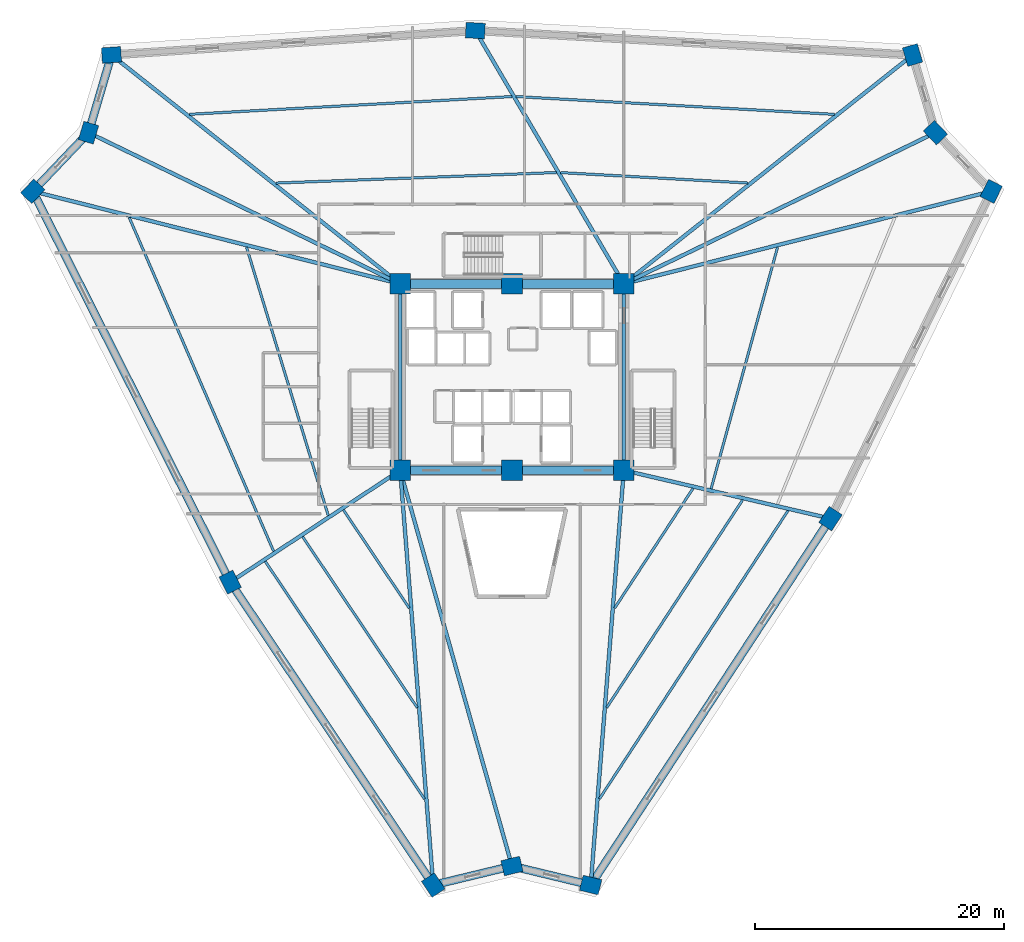
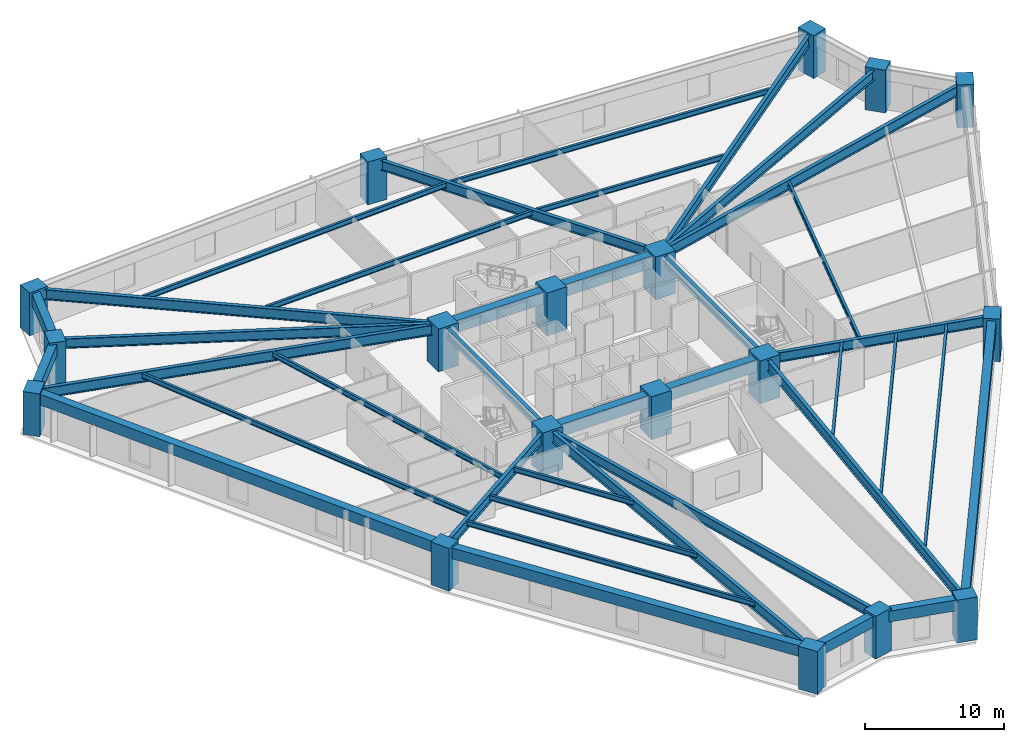
# One storey, part 1 of 9: 38 beams, 18 columns.
"""IFC4 building model written with IfcOpenShell, lengths in metres."""

from ifc_helpers import new_model, si_unit, direction, frame, origin, origin_2d, place, context, subcontext, project, spatial, rectangle, i_section, extrude, source, transform, mapped, material, material_profile, profile_set, type_object, element, save


model = new_model("IFC4")

# Units and contexts
model_context = context("Model", 3, precision=1e-05, world=origin(), true_north=direction((0.0, 1.0)))
body_context = subcontext(model_context, "Body", "Model", "MODEL_VIEW")
ifc_project = project(units=[si_unit("LENGTHUNIT", "METRE"), si_unit("AREAUNIT", "SQUARE_METRE"), si_unit("VOLUMEUNIT", "CUBIC_METRE"), si_unit("PLANEANGLEUNIT", "RADIAN"), si_unit("MASSUNIT", "GRAM", prefix="KILO")], contexts=[model_context])

# Site, building, storey
site_placement = place(None, origin())
site = spatial("IfcSite", under=ifc_project, at=site_placement, CompositionType="ELEMENT")
building_placement = place(site_placement, origin())
building = spatial("IfcBuilding", under=site, at=building_placement, Name="Liaohun Quay Tower", CompositionType="ELEMENT")
storey_placement = place(building_placement, frame((0.0, 0.0, 55.5)))
storey = spatial("IfcBuildingStorey", under=building, at=storey_placement, Name="L14", CompositionType="ELEMENT", Elevation=55.5)

# Columns
ifc_material_1 = material(Name="Concrete C60", Category="concrete")
ifc_material_profile_1 = material_profile(ifc_material_1, rectangle(XDim=1.64990234375, YDim=1.64990234375, at=origin_2d()), Name="RC1650x1650")
ifc_profile_set_1 = profile_set([ifc_material_profile_1], Name="Concrete C60")
column_type_1 = type_object("IfcColumnType", Name="COL-CC-Z1", PredefinedType="COLUMN", material=ifc_profile_set_1)
shared_shape_1 = source(origin(), body_context, "Body", "SweptSolid", [
    extrude(rectangle(XDim=1.64990234375, YDim=1.64990234375, at=origin_2d()), origin(), (0.0, 0.0, 1.0), 3.75),
])
for number, where, z_axis, x_axis, name in (
    (1, (51.0, 46.5, 0.0), (0.0, 0.0, 1.0), (1.0, 0.0, 0.0), "L14 Core Column CC1"),
    (2, (60.0, 46.5, 0.0), (0.0, 0.0, 1.0), (1.0, 0.0, 0.0), "L14 Core Column CC2"),
    (3, (69.0, 46.5, 0.0), (0.0, 0.0, 1.0), (1.0, 0.0, 0.0), "L14 Core Column CC3"),
    (4, (69.0, 61.5, 0.0), (0.0, 0.0, 1.0), (1.0, 0.0, 0.0), "L14 Core Column CC4"),
    (5, (60.0, 61.5, 0.0), (0.0, 0.0, 1.0), (1.0, 0.0, 0.0), "L14 Core Column CC5"),
    (6, (51.0, 61.5, 0.0), (0.0, 0.0, 1.0), (1.0, 0.0, 0.0), "L14 Core Column CC6"),
):
    element("IfcColumn", number, at=place(storey_placement, frame(where, z_axis=z_axis, x_axis=x_axis)), inside=storey, type_object=column_type_1, Name=name, PredefinedType="COLUMN", context=body_context, shape_type="MappedRepresentation", body=[
        mapped(shared_shape_1, transform((0.0, 0.0, 0.0), x_axis=(1.0, 0.0, 0.0), y_axis=(0.0, 1.0, 0.0), z_axis=(0.0, 0.0, 1.0), scale=1.0)),
    ])
ifc_material_profile_2 = material_profile(ifc_material_1, rectangle(XDim=1.550048828125, YDim=1.25, at=origin_2d()), Name="RC1550x1250")
ifc_profile_set_2 = profile_set([ifc_material_profile_2], Name="Concrete C60")
column_type_2 = type_object("IfcColumnType", Name="COL-PIER-Z1", PredefinedType="COLUMN", material=ifc_profile_set_2)
shared_shape_2 = source(origin(), body_context, "Body", "SweptSolid", [
    extrude(rectangle(XDim=1.550048828125, YDim=1.25, at=origin_2d()), origin(), (0.0, 0.0, 1.0), 3.75),
])
for number, where, z_axis, x_axis, name in (
    (7, (53.660888671875, 13.12109375, 0.0), (0.0, 0.0, 1.0), (-0.556730641675, 0.830693079675, 0.0), "L14 Perimeter Pier PC01"),
    (8, (37.323974609375, 37.4970703125, 0.0), (0.0, 0.0, 1.0), (-0.450877540689, 0.892585818452, 0.0), "L14 Perimeter Pier PC02"),
    (9, (21.43310546875, 68.955078125, 0.0), (0.0, 0.0, 1.0), (0.68936671806, 0.724412539946, 0.0), "L14 Perimeter Pier PC03"),
    (10, (25.923095703125, 73.674072265625, 0.0), (0.0, 0.0, 1.0), (0.282676303383, 0.959215360337, 0.0), "L14 Perimeter Pier PC04"),
    (11, (27.76708984375, 79.928955078125, 0.0), (0.0, 0.0, 1.0), (0.997766630584, 0.066796338919, 0.0), "L14 Perimeter Pier PC05"),
    (12, (57.0458984375, 81.888916015625, 0.0), (0.0, 0.0, 1.0), (-0.998440764182, 0.055821504993, 0.0), "L14 Perimeter Pier PC06"),
    (13, (92.235107421875, 79.923095703125, 0.0), (0.0, 0.0, 1.0), (-0.282676303383, 0.959215360337, 0.0), "L14 Perimeter Pier PC07"),
    (14, (94.076904296875, 73.674072265625, 0.0), (0.0, 0.0, 1.0), (-0.68936671806, 0.724412539946, 0.0), "L14 Perimeter Pier PC08"),
    (15, (98.572021484375, 68.949951171875, 0.0), (0.0, 0.0, 1.0), (0.441035988909, 0.897489418593, 0.0), "L14 Perimeter Pier PC09"),
    (16, (85.6298828125, 42.614013671875, 0.0), (0.0, 0.0, 1.0), (0.547563223493, 0.836764313459, 0.0), "L14 Perimeter Pier PC10"),
    (17, (66.33203125, 13.123046875, 0.0), (0.0, 0.0, 1.0), (-0.972043021443, 0.234802820391, 0.0), "L14 Perimeter Pier PC11"),
    (18, (60.0, 14.652099609375, 0.0), (0.0, 0.0, 1.0), (0.972043021443, 0.234802820391, 0.0), "L14 Perimeter Pier PC12"),
):
    element("IfcColumn", number, at=place(storey_placement, frame(where, z_axis=z_axis, x_axis=x_axis)), inside=storey, type_object=column_type_2, Name=name, PredefinedType="COLUMN", context=body_context, shape_type="MappedRepresentation", body=[
        mapped(shared_shape_2, transform((0.0, 0.0, 0.0), x_axis=(1.0, 0.0, 0.0), y_axis=(0.0, 1.0, 0.0), z_axis=(0.0, 0.0, 1.0), scale=1.0)),
    ])

# Beams
ifc_material_profile_3 = material_profile(ifc_material_1, rectangle(XDim=0.699951171875, YDim=1.050048828125, at=origin_2d()), Name="RC700x1050")
ifc_profile_set_3 = profile_set([ifc_material_profile_3], Name="Concrete C60")
beam_type_1 = type_object("IfcBeamType", Name="BM-CPL-1", PredefinedType="LINTEL", material=ifc_profile_set_3)
shared_shape_3 = source(origin(), body_context, "Body", "SweptSolid", [
    extrude(rectangle(XDim=0.699951171875, YDim=1.050048828125, at=origin_2d()), origin(), (0.0, 0.0, 1.0), 9.0),
])
for number, where, z_axis, x_axis, name in (
    (19, (51.0, 46.5, 3.044921875), (1.0, 0.0, 0.0), (0.0, 1.0, 0.0), "L14 Core Coupling/Ring Beam CC1-CC2"),
    (20, (60.0, 46.5, 3.044921875), (1.0, 0.0, 0.0), (0.0, 1.0, 0.0), "L14 Core Coupling/Ring Beam CC2-CC3"),
    (21, (69.0, 61.5, 3.044921875), (-1.0, 0.0, 0.0), (0.0, -1.0, 0.0), "L14 Core Coupling/Ring Beam CC4-CC5"),
    (22, (60.0, 61.5, 3.044921875), (-1.0, 0.0, 0.0), (0.0, -1.0, 0.0), "L14 Core Coupling/Ring Beam CC5-CC6"),
):
    element("IfcBeam", number, at=place(storey_placement, frame(where, z_axis=z_axis, x_axis=x_axis)), inside=storey, type_object=beam_type_1, Name=name, PredefinedType="LINTEL", context=body_context, shape_type="MappedRepresentation", body=[
        mapped(shared_shape_3, transform((0.0, 0.0, 0.0), x_axis=(1.0, 0.0, 0.0), y_axis=(0.0, 1.0, 0.0), z_axis=(0.0, 0.0, 1.0), scale=1.0)),
    ])
ifc_material_2 = material(Name="Steel Q355D", Category="steel")
ifc_material_profile_4 = material_profile(ifc_material_2, i_section(OverallWidth=0.300048828125, OverallDepth=0.800048828125, WebThickness=0.013916015625, FlangeThickness=0.02587890625, at=origin_2d()), Name="HN800x300x14x26")
ifc_profile_set_4 = profile_set([ifc_material_profile_4], Name="Steel Q355D")
beam_type_2 = type_object("IfcBeamType", Name="BM-RAD-M1", PredefinedType="BEAM", material=ifc_profile_set_4)
shared_shape_4 = source(origin(), body_context, "Body", "SweptSolid", [
    extrude(i_section(OverallWidth=0.300048828125, OverallDepth=0.800048828125, WebThickness=0.013916015625, FlangeThickness=0.02587890625, at=origin_2d()), origin(), (0.0, 0.0, 1.0), 15.0),
])
for number, where, z_axis, x_axis, name in (
    (23, (69.0, 46.5, 3.169921875), (0.0, 1.0, 0.0), (-1.0, 0.0, 0.0), "L14 Core Coupling/Ring Beam CC3-CC4"),
    (24, (51.0, 61.5, 3.169921875), (0.0, -1.0, 0.0), (1.0, 0.0, 0.0), "L14 Core Coupling/Ring Beam CC6-CC1"),
):
    element("IfcBeam", number, at=place(storey_placement, frame(where, z_axis=z_axis, x_axis=x_axis)), inside=storey, type_object=beam_type_2, Name=name, PredefinedType="BEAM", context=body_context, shape_type="MappedRepresentation", body=[
        mapped(shared_shape_4, transform((0.0, 0.0, 0.0), x_axis=(1.0, 0.0, 0.0), y_axis=(0.0, 1.0, 0.0), z_axis=(0.0, 0.0, 1.0), scale=1.0)),
    ])
ifc_material_3 = material(Name="Steel Q420D", Category="steel")
ifc_material_profile_5 = material_profile(ifc_material_3, i_section(OverallWidth=0.300048828125, OverallDepth=0.89990234375, WebThickness=0.01611328125, FlangeThickness=0.028076171875, at=origin_2d()), Name="HN900x300x16x28")
ifc_profile_set_5 = profile_set([ifc_material_profile_5], Name="Steel Q420D")
beam_type_3 = type_object("IfcBeamType", Name="BM-RAD-H1", PredefinedType="BEAM", material=ifc_profile_set_5)
shared_shape_5 = source(origin(), body_context, "Body", "SweptSolid", [
    extrude(i_section(OverallWidth=0.300048828125, OverallDepth=0.89990234375, WebThickness=0.01611328125, FlangeThickness=0.028076171875, at=origin_2d()), origin(), (0.0, 0.0, 1.0), 33.48486328125),
])
beam_1_placement = place(storey_placement, frame((51.0, 46.5, 3.1201171875), z_axis=(0.079465572867, -0.996837611012, 0.0), x_axis=(0.996837611012, 0.079465572867, 0.0)))
element("IfcBeam", 25, at=beam_1_placement, inside=storey, type_object=beam_type_3, Name="L14 Radial Primary Girder CC1-PC01", PredefinedType="BEAM", context=body_context, shape_type="MappedRepresentation", body=[
    mapped(shared_shape_5, transform((0.0, 0.0, 0.0), x_axis=(1.0, 0.0, 0.0), y_axis=(0.0, 1.0, 0.0), z_axis=(0.0, 0.0, 1.0), scale=1.0)),
])
ifc_material_profile_6 = material_profile(ifc_material_2, i_section(OverallWidth=0.300048828125, OverallDepth=0.85009765625, WebThickness=0.01611328125, FlangeThickness=0.028076171875, at=origin_2d()), Name="HN850x300x16x28")
ifc_profile_set_6 = profile_set([ifc_material_profile_6], Name="Steel Q355D")
beam_type_4 = type_object("IfcBeamType", Name="BM-RAD-H2", PredefinedType="BEAM", material=ifc_profile_set_6)
shared_shape_6 = source(origin(), body_context, "Body", "SweptSolid", [
    extrude(i_section(OverallWidth=0.300048828125, OverallDepth=0.85009765625, WebThickness=0.01611328125, FlangeThickness=0.028076171875, at=origin_2d()), origin(), (0.0, 0.0, 1.0), 16.373291015625),
])
beam_2_placement = place(storey_placement, frame((51.0, 46.5, 3.14501953125), z_axis=(-0.835261562215, -0.549852819113, 0.0), x_axis=(0.549852819113, -0.835261562215, 0.0)))
element("IfcBeam", 26, at=beam_2_placement, inside=storey, type_object=beam_type_4, Name="L14 Radial Primary Girder CC1-PC02", PredefinedType="BEAM", context=body_context, shape_type="MappedRepresentation", body=[
    mapped(shared_shape_6, transform((0.0, 0.0, 0.0), x_axis=(1.0, 0.0, 0.0), y_axis=(0.0, 1.0, 0.0), z_axis=(0.0, 0.0, 1.0), scale=1.0)),
])
shared_shape_7 = source(origin(), body_context, "Body", "SweptSolid", [
    extrude(i_section(OverallWidth=0.300048828125, OverallDepth=0.89990234375, WebThickness=0.01611328125, FlangeThickness=0.028076171875, at=origin_2d()), origin(), (0.0, 0.0, 1.0), 30.4921875),
])
beam_3_placement = place(storey_placement, frame((51.0, 61.5, 3.1201171875), z_axis=(-0.969651653531, 0.244490635412, 0.0), x_axis=(-0.244490635412, -0.969651653531, 0.0)))
element("IfcBeam", 27, at=beam_3_placement, inside=storey, type_object=beam_type_3, Name="L14 Radial Primary Girder CC6-PC03", PredefinedType="BEAM", context=body_context, shape_type="MappedRepresentation", body=[
    mapped(shared_shape_7, transform((0.0, 0.0, 0.0), x_axis=(1.0, 0.0, 0.0), y_axis=(0.0, 1.0, 0.0), z_axis=(0.0, 0.0, 1.0), scale=1.0)),
])
shared_shape_8 = source(origin(), body_context, "Body", "SweptSolid", [
    extrude(i_section(OverallWidth=0.300048828125, OverallDepth=0.85009765625, WebThickness=0.01611328125, FlangeThickness=0.028076171875, at=origin_2d()), origin(), (0.0, 0.0, 1.0), 27.875732421875),
])
for number, where, z_axis, x_axis, name in (
    (28, (51.0, 61.5, 3.14501953125), (-0.899594681296, 0.436725782825, 0.0), (-0.436725782825, -0.899594681296, 0.0), "L14 Radial Primary Girder CC6-PC04"),
    (29, (69.0, 61.5, 3.14501953125), (0.899594681296, 0.436725782825, 0.0), (-0.436725782825, 0.899594681296, 0.0), "L14 Radial Primary Girder CC4-PC08"),
):
    element("IfcBeam", number, at=place(storey_placement, frame(where, z_axis=z_axis, x_axis=x_axis)), inside=storey, type_object=beam_type_4, Name=name, PredefinedType="BEAM", context=body_context, shape_type="MappedRepresentation", body=[
        mapped(shared_shape_8, transform((0.0, 0.0, 0.0), x_axis=(1.0, 0.0, 0.0), y_axis=(0.0, 1.0, 0.0), z_axis=(0.0, 0.0, 1.0), scale=1.0)),
    ])
shared_shape_9 = source(origin(), body_context, "Body", "SweptSolid", [
    extrude(i_section(OverallWidth=0.300048828125, OverallDepth=0.89990234375, WebThickness=0.01611328125, FlangeThickness=0.028076171875, at=origin_2d()), origin(), (0.0, 0.0, 1.0), 29.654541015625),
])
beam_4_placement = place(storey_placement, frame((51.0, 61.5, 3.1201171875), z_axis=(-0.783450821948, 0.621453787171, 0.0), x_axis=(-0.621453787171, -0.783450821948, 0.0)))
element("IfcBeam", 30, at=beam_4_placement, inside=storey, type_object=beam_type_3, Name="L14 Radial Primary Girder CC6-PC05", PredefinedType="BEAM", context=body_context, shape_type="MappedRepresentation", body=[
    mapped(shared_shape_9, transform((0.0, 0.0, 0.0), x_axis=(1.0, 0.0, 0.0), y_axis=(0.0, 1.0, 0.0), z_axis=(0.0, 0.0, 1.0), scale=1.0)),
])
shared_shape_10 = source(origin(), body_context, "Body", "SweptSolid", [
    extrude(i_section(OverallWidth=0.300048828125, OverallDepth=0.85009765625, WebThickness=0.01611328125, FlangeThickness=0.028076171875, at=origin_2d()), origin(), (0.0, 0.0, 1.0), 23.635009765625),
])
beam_5_placement = place(storey_placement, frame((69.0, 61.5, 3.14501953125), z_axis=(-0.505781796339, 0.862661448363, 0.0), x_axis=(-0.862661448363, -0.505781796339, 0.0)))
element("IfcBeam", 31, at=beam_5_placement, inside=storey, type_object=beam_type_4, Name="L14 Radial Primary Girder CC4-PC06", PredefinedType="BEAM", context=body_context, shape_type="MappedRepresentation", body=[
    mapped(shared_shape_10, transform((0.0, 0.0, 0.0), x_axis=(1.0, 0.0, 0.0), y_axis=(0.0, 1.0, 0.0), z_axis=(0.0, 0.0, 1.0), scale=1.0)),
])
shared_shape_11 = source(origin(), body_context, "Body", "SweptSolid", [
    extrude(i_section(OverallWidth=0.300048828125, OverallDepth=0.89990234375, WebThickness=0.01611328125, FlangeThickness=0.028076171875, at=origin_2d()), origin(), (0.0, 0.0, 1.0), 29.652587890625),
])
beam_6_placement = place(storey_placement, frame((69.0, 61.5, 3.1201171875), z_axis=(0.783575631278, 0.621296410796, 0.0), x_axis=(-0.621296410796, 0.783575631278, 0.0)))
element("IfcBeam", 32, at=beam_6_placement, inside=storey, type_object=beam_type_3, Name="L14 Radial Primary Girder CC4-PC07", PredefinedType="BEAM", context=body_context, shape_type="MappedRepresentation", body=[
    mapped(shared_shape_11, transform((0.0, 0.0, 0.0), x_axis=(1.0, 0.0, 0.0), y_axis=(0.0, 1.0, 0.0), z_axis=(0.0, 0.0, 1.0), scale=1.0)),
])
shared_shape_12 = source(origin(), body_context, "Body", "SweptSolid", [
    extrude(i_section(OverallWidth=0.300048828125, OverallDepth=0.89990234375, WebThickness=0.01611328125, FlangeThickness=0.028076171875, at=origin_2d()), origin(), (0.0, 0.0, 1.0), 30.49609375),
])
beam_7_placement = place(storey_placement, frame((69.0, 61.5, 3.1201171875), z_axis=(0.96970153881, 0.244292704821, 0.0), x_axis=(-0.244292704821, 0.96970153881, 0.0)))
element("IfcBeam", 33, at=beam_7_placement, inside=storey, type_object=beam_type_3, Name="L14 Radial Primary Girder CC4-PC09", PredefinedType="BEAM", context=body_context, shape_type="MappedRepresentation", body=[
    mapped(shared_shape_12, transform((0.0, 0.0, 0.0), x_axis=(1.0, 0.0, 0.0), y_axis=(0.0, 1.0, 0.0), z_axis=(0.0, 0.0, 1.0), scale=1.0)),
])
shared_shape_13 = source(origin(), body_context, "Body", "SweptSolid", [
    extrude(i_section(OverallWidth=0.300048828125, OverallDepth=0.85009765625, WebThickness=0.01611328125, FlangeThickness=0.028076171875, at=origin_2d()), origin(), (0.0, 0.0, 1.0), 17.077880859375),
])
beam_8_placement = place(storey_placement, frame((69.0, 46.5, 3.14501953125), z_axis=(0.973767556011, -0.227545043588, 0.0), x_axis=(0.227545043588, 0.973767556011, 0.0)))
element("IfcBeam", 34, at=beam_8_placement, inside=storey, type_object=beam_type_4, Name="L14 Radial Primary Girder CC3-PC10", PredefinedType="BEAM", context=body_context, shape_type="MappedRepresentation", body=[
    mapped(shared_shape_13, transform((0.0, 0.0, 0.0), x_axis=(1.0, 0.0, 0.0), y_axis=(0.0, 1.0, 0.0), z_axis=(0.0, 0.0, 1.0), scale=1.0)),
])
shared_shape_14 = source(origin(), body_context, "Body", "SweptSolid", [
    extrude(i_section(OverallWidth=0.300048828125, OverallDepth=0.89990234375, WebThickness=0.01611328125, FlangeThickness=0.028076171875, at=origin_2d()), origin(), (0.0, 0.0, 1.0), 33.4833984375),
])
beam_9_placement = place(storey_placement, frame((69.0, 46.5, 3.1201171875), z_axis=(-0.079680306721, -0.996820469654, 0.0), x_axis=(0.996820469654, -0.079680306721, 0.0)))
element("IfcBeam", 35, at=beam_9_placement, inside=storey, type_object=beam_type_3, Name="L14 Radial Primary Girder CC3-PC11", PredefinedType="BEAM", context=body_context, shape_type="MappedRepresentation", body=[
    mapped(shared_shape_14, transform((0.0, 0.0, 0.0), x_axis=(1.0, 0.0, 0.0), y_axis=(0.0, 1.0, 0.0), z_axis=(0.0, 0.0, 1.0), scale=1.0)),
])
shared_shape_15 = source(origin(), body_context, "Body", "SweptSolid", [
    extrude(i_section(OverallWidth=0.300048828125, OverallDepth=0.85009765625, WebThickness=0.01611328125, FlangeThickness=0.028076171875, at=origin_2d()), origin(), (0.0, 0.0, 1.0), 33.09521484375),
])
beam_10_placement = place(storey_placement, frame((51.0, 46.5, 3.14501953125), z_axis=(0.271943194033, -0.962313306163, 0.0), x_axis=(0.962313306163, 0.271943194033, 0.0)))
element("IfcBeam", 36, at=beam_10_placement, inside=storey, type_object=beam_type_4, Name="L14 Radial Primary Girder CC1-PC12", PredefinedType="BEAM", context=body_context, shape_type="MappedRepresentation", body=[
    mapped(shared_shape_15, transform((0.0, 0.0, 0.0), x_axis=(1.0, 0.0, 0.0), y_axis=(0.0, 1.0, 0.0), z_axis=(0.0, 0.0, 1.0), scale=1.0)),
])
ifc_material_profile_7 = material_profile(ifc_material_2, i_section(OverallWidth=0.199951171875, OverallDepth=0.449951171875, WebThickness=0.009033203125, FlangeThickness=0.013916015625, at=origin_2d()), Name="HN450x200x9x14")
ifc_profile_set_7 = profile_set([ifc_material_profile_7], Name="Steel Q355D")
beam_type_5 = type_object("IfcBeamType", Name="BM-SEC-J1", PredefinedType="JOIST", material=ifc_profile_set_7)
shared_shape_16 = source(origin(), body_context, "Body", "SweptSolid", [
    extrude(i_section(OverallWidth=0.199951171875, OverallDepth=0.449951171875, WebThickness=0.009033203125, FlangeThickness=0.013916015625, at=origin_2d()), origin(), (0.0, 0.0, 1.0), 9.51953125),
])
beam_11_placement = place(storey_placement, frame((51.73388671875, 35.406005859375, 3.344970703125), z_axis=(-0.556722613458, 0.830698460131, 0.0), x_axis=(-0.830698460131, -0.556722613458, 0.0)))
element("IfcBeam", 37, at=beam_11_placement, inside=storey, type_object=beam_type_5, Name="L14 Wing Secondary Floor Joist SJ-01", PredefinedType="JOIST", context=body_context, shape_type="MappedRepresentation", body=[
    mapped(shared_shape_16, transform((0.0, 0.0, 0.0), x_axis=(1.0, 0.0, 0.0), y_axis=(0.0, 1.0, 0.0), z_axis=(0.0, 0.0, 1.0), scale=1.0)),
])
shared_shape_17 = source(origin(), body_context, "Body", "SweptSolid", [
    extrude(i_section(OverallWidth=0.199951171875, OverallDepth=0.449951171875, WebThickness=0.009033203125, FlangeThickness=0.013916015625, at=origin_2d()), origin(), (0.0, 0.0, 1.0), 16.563720703125),
])
beam_12_placement = place(storey_placement, frame((52.373046875, 27.39501953125, 3.344970703125), z_axis=(-0.556766535682, 0.830669022382, 0.0), x_axis=(-0.830669022382, -0.556766535682, 0.0)))
element("IfcBeam", 38, at=beam_12_placement, inside=storey, type_object=beam_type_5, Name="L14 Wing Secondary Floor Joist SJ-02", PredefinedType="JOIST", context=body_context, shape_type="MappedRepresentation", body=[
    mapped(shared_shape_17, transform((0.0, 0.0, 0.0), x_axis=(1.0, 0.0, 0.0), y_axis=(0.0, 1.0, 0.0), z_axis=(0.0, 0.0, 1.0), scale=1.0)),
])
shared_shape_18 = source(origin(), body_context, "Body", "SweptSolid", [
    extrude(i_section(OverallWidth=0.199951171875, OverallDepth=0.449951171875, WebThickness=0.009033203125, FlangeThickness=0.013916015625, at=origin_2d()), origin(), (0.0, 0.0, 1.0), 23.018310546875),
])
beam_13_placement = place(storey_placement, frame((52.9580078125, 20.052001953125, 3.344970703125), z_axis=(-0.556730076877, 0.830693458202, 0.0), x_axis=(-0.830693458202, -0.556730076877, 0.0)))
element("IfcBeam", 39, at=beam_13_placement, inside=storey, type_object=beam_type_5, Name="L14 Wing Secondary Floor Joist SJ-03", PredefinedType="JOIST", context=body_context, shape_type="MappedRepresentation", body=[
    mapped(shared_shape_18, transform((0.0, 0.0, 0.0), x_axis=(1.0, 0.0, 0.0), y_axis=(0.0, 1.0, 0.0), z_axis=(0.0, 0.0, 1.0), scale=1.0)),
])
shared_shape_19 = source(origin(), body_context, "Body", "SweptSolid", [
    extrude(i_section(OverallWidth=0.199951171875, OverallDepth=0.449951171875, WebThickness=0.009033203125, FlangeThickness=0.013916015625, at=origin_2d()), origin(), (0.0, 0.0, 1.0), 22.57568359375),
])
beam_14_placement = place(storey_placement, frame((45.2109375, 42.867919921875, 3.344970703125), z_axis=(-0.291369456601, 0.956610599858, 0.0), x_axis=(-0.956610599858, -0.291369456601, 0.0)))
element("IfcBeam", 40, at=beam_14_placement, inside=storey, type_object=beam_type_5, Name="L14 Wing Secondary Floor Joist SJ-04", PredefinedType="JOIST", context=body_context, shape_type="MappedRepresentation", body=[
    mapped(shared_shape_19, transform((0.0, 0.0, 0.0), x_axis=(1.0, 0.0, 0.0), y_axis=(0.0, 1.0, 0.0), z_axis=(0.0, 0.0, 1.0), scale=1.0)),
])
shared_shape_20 = source(origin(), body_context, "Body", "SweptSolid", [
    extrude(i_section(OverallWidth=0.199951171875, OverallDepth=0.449951171875, WebThickness=0.009033203125, FlangeThickness=0.013916015625, at=origin_2d()), origin(), (0.0, 0.0, 1.0), 29.271484375),
])
beam_15_placement = place(storey_placement, frame((40.819091796875, 39.97802734375, 3.344970703125), z_axis=(-0.397076743854, 0.917785410371, 0.0), x_axis=(-0.917785410371, -0.397076743854, 0.0)))
element("IfcBeam", 41, at=beam_15_placement, inside=storey, type_object=beam_type_5, Name="L14 Wing Secondary Floor Joist SJ-05", PredefinedType="JOIST", context=body_context, shape_type="MappedRepresentation", body=[
    mapped(shared_shape_20, transform((0.0, 0.0, 0.0), x_axis=(1.0, 0.0, 0.0), y_axis=(0.0, 1.0, 0.0), z_axis=(0.0, 0.0, 1.0), scale=1.0)),
])
shared_shape_21 = source(origin(), body_context, "Body", "SweptSolid", [
    extrude(i_section(OverallWidth=0.199951171875, OverallDepth=0.449951171875, WebThickness=0.009033203125, FlangeThickness=0.013916015625, at=origin_2d()), origin(), (0.0, 0.0, 1.0), 22.577880859375),
])
beam_16_placement = place(storey_placement, frame((41.008056640625, 69.616943359375, 3.344970703125), z_axis=(0.999294179764, 0.037565173897, 0.0), x_axis=(-0.037565173897, 0.999294179764, 0.0)))
element("IfcBeam", 42, at=beam_16_placement, inside=storey, type_object=beam_type_5, Name="L14 Wing Secondary Floor Joist SJ-06", PredefinedType="JOIST", context=body_context, shape_type="MappedRepresentation", body=[
    mapped(shared_shape_21, transform((0.0, 0.0, 0.0), x_axis=(1.0, 0.0, 0.0), y_axis=(0.0, 1.0, 0.0), z_axis=(0.0, 0.0, 1.0), scale=1.0)),
])
shared_shape_22 = source(origin(), body_context, "Body", "SweptSolid", [
    extrude(i_section(OverallWidth=0.199951171875, OverallDepth=0.449951171875, WebThickness=0.009033203125, FlangeThickness=0.013916015625, at=origin_2d()), origin(), (0.0, 0.0, 1.0), 25.992431640625),
])
beam_17_placement = place(storey_placement, frame((34.032958984375, 75.14990234375, 3.344970703125), z_axis=(0.998487171014, 0.054985173645, 0.0), x_axis=(-0.054985173645, 0.998487171014, 0.0)))
element("IfcBeam", 43, at=beam_17_placement, inside=storey, type_object=beam_type_5, Name="L14 Wing Secondary Floor Joist SJ-07", PredefinedType="JOIST", context=body_context, shape_type="MappedRepresentation", body=[
    mapped(shared_shape_22, transform((0.0, 0.0, 0.0), x_axis=(1.0, 0.0, 0.0), y_axis=(0.0, 1.0, 0.0), z_axis=(0.0, 0.0, 1.0), scale=1.0)),
])
shared_shape_23 = source(origin(), body_context, "Body", "SweptSolid", [
    extrude(i_section(OverallWidth=0.199951171875, OverallDepth=0.449951171875, WebThickness=0.009033203125, FlangeThickness=0.013916015625, at=origin_2d()), origin(), (0.0, 0.0, 1.0), 15.1015625),
])
beam_18_placement = place(storey_placement, frame((63.919921875, 70.4609375, 3.344970703125), z_axis=(0.998444294289, -0.055758328546, 0.0), x_axis=(0.055758328546, 0.998444294289, 0.0)))
element("IfcBeam", 44, at=beam_18_placement, inside=storey, type_object=beam_type_5, Name="L14 Wing Secondary Floor Joist SJ-08", PredefinedType="JOIST", context=body_context, shape_type="MappedRepresentation", body=[
    mapped(shared_shape_23, transform((0.0, 0.0, 0.0), x_axis=(1.0, 0.0, 0.0), y_axis=(0.0, 1.0, 0.0), z_axis=(0.0, 0.0, 1.0), scale=1.0)),
])
shared_shape_24 = source(origin(), body_context, "Body", "SweptSolid", [
    extrude(i_section(OverallWidth=0.199951171875, OverallDepth=0.449951171875, WebThickness=0.009033203125, FlangeThickness=0.013916015625, at=origin_2d()), origin(), (0.0, 0.0, 1.0), 25.674072265625),
])
beam_19_placement = place(storey_placement, frame((60.333984375, 76.577880859375, 3.344970703125), z_axis=(0.998443542047, -0.055771797043, 0.0), x_axis=(0.055771797043, 0.998443542047, 0.0)))
element("IfcBeam", 45, at=beam_19_placement, inside=storey, type_object=beam_type_5, Name="L14 Wing Secondary Floor Joist SJ-09", PredefinedType="JOIST", context=body_context, shape_type="MappedRepresentation", body=[
    mapped(shared_shape_24, transform((0.0, 0.0, 0.0), x_axis=(1.0, 0.0, 0.0), y_axis=(0.0, 1.0, 0.0), z_axis=(0.0, 0.0, 1.0), scale=1.0)),
])
shared_shape_25 = source(origin(), body_context, "Body", "SweptSolid", [
    extrude(i_section(OverallWidth=0.199951171875, OverallDepth=0.449951171875, WebThickness=0.009033203125, FlangeThickness=0.013916015625, at=origin_2d()), origin(), (0.0, 0.0, 1.0), 20.172607421875),
])
beam_20_placement = place(storey_placement, frame((81.375, 64.462890625, 3.344970703125), z_axis=(-0.265264216074, -0.96417575974, 0.0), x_axis=(0.96417575974, -0.265264216074, 0.0)))
element("IfcBeam", 46, at=beam_20_placement, inside=storey, type_object=beam_type_5, Name="L14 Wing Secondary Floor Joist SJ-10", PredefinedType="JOIST", context=body_context, shape_type="MappedRepresentation", body=[
    mapped(shared_shape_25, transform((0.0, 0.0, 0.0), x_axis=(1.0, 0.0, 0.0), y_axis=(0.0, 1.0, 0.0), z_axis=(0.0, 0.0, 1.0), scale=1.0)),
])
shared_shape_26 = source(origin(), body_context, "Body", "SweptSolid", [
    extrude(i_section(OverallWidth=0.199951171875, OverallDepth=0.449951171875, WebThickness=0.009033203125, FlangeThickness=0.013916015625, at=origin_2d()), origin(), (0.0, 0.0, 1.0), 11.510009765625),
])
beam_21_placement = place(storey_placement, frame((74.56689453125, 45.044921875, 3.344970703125), z_axis=(-0.547607066281, -0.836735621902, 0.0), x_axis=(0.836735621902, -0.547607066281, 0.0)))
element("IfcBeam", 47, at=beam_21_placement, inside=storey, type_object=beam_type_5, Name="L14 Wing Secondary Floor Joist SJ-12", PredefinedType="JOIST", context=body_context, shape_type="MappedRepresentation", body=[
    mapped(shared_shape_26, transform((0.0, 0.0, 0.0), x_axis=(1.0, 0.0, 0.0), y_axis=(0.0, 1.0, 0.0), z_axis=(0.0, 0.0, 1.0), scale=1.0)),
])
shared_shape_27 = source(origin(), body_context, "Body", "SweptSolid", [
    extrude(i_section(OverallWidth=0.199951171875, OverallDepth=0.449951171875, WebThickness=0.009033203125, FlangeThickness=0.013916015625, at=origin_2d()), origin(), (0.0, 0.0, 1.0), 19.969482421875),
])
beam_22_placement = place(storey_placement, frame((78.55810546875, 44.113037109375, 3.344970703125), z_axis=(-0.54754183506, -0.836778309267, 0.0), x_axis=(0.836778309267, -0.54754183506, 0.0)))
element("IfcBeam", 48, at=beam_22_placement, inside=storey, type_object=beam_type_5, Name="L14 Wing Secondary Floor Joist SJ-13", PredefinedType="JOIST", context=body_context, shape_type="MappedRepresentation", body=[
    mapped(shared_shape_27, transform((0.0, 0.0, 0.0), x_axis=(1.0, 0.0, 0.0), y_axis=(0.0, 1.0, 0.0), z_axis=(0.0, 0.0, 1.0), scale=1.0)),
])
shared_shape_28 = source(origin(), body_context, "Body", "SweptSolid", [
    extrude(i_section(OverallWidth=0.199951171875, OverallDepth=0.449951171875, WebThickness=0.009033203125, FlangeThickness=0.013916015625, at=origin_2d()), origin(), (0.0, 0.0, 1.0), 27.72314453125),
])
beam_23_placement = place(storey_placement, frame((82.217041015625, 43.258056640625, 3.344970703125), z_axis=(-0.54755279495, -0.836771137613, 0.0), x_axis=(0.836771137613, -0.54755279495, 0.0)))
element("IfcBeam", 49, at=beam_23_placement, inside=storey, type_object=beam_type_5, Name="L14 Wing Secondary Floor Joist SJ-14", PredefinedType="JOIST", context=body_context, shape_type="MappedRepresentation", body=[
    mapped(shared_shape_28, transform((0.0, 0.0, 0.0), x_axis=(1.0, 0.0, 0.0), y_axis=(0.0, 1.0, 0.0), z_axis=(0.0, 0.0, 1.0), scale=1.0)),
])
ifc_material_4 = material(Name="Precast concrete C55", Category="concrete")
ifc_material_profile_8 = material_profile(ifc_material_4, rectangle(XDim=0.64990234375, YDim=0.949951171875, at=origin_2d()), Name="RC650x950")
ifc_profile_set_8 = profile_set([ifc_material_profile_8], Name="Precast concrete C55")
beam_type_6 = type_object("IfcBeamType", Name="BM-SPD-Z1", PredefinedType="SPANDREL", material=ifc_profile_set_8)
shared_shape_29 = source(origin(), body_context, "Body", "SweptSolid", [
    extrude(rectangle(XDim=0.64990234375, YDim=0.949951171875, at=origin_2d()), origin(), (0.0, 0.0, 1.0), 29.34423828125),
])
beam_24_placement = place(storey_placement, frame((53.660888671875, 13.12109375, 3.094970703125), z_axis=(-0.556733709808, 0.830691023404, 0.0), x_axis=(-0.830691023404, -0.556733709808, 0.0)))
element("IfcBeam", 50, at=beam_24_placement, inside=storey, type_object=beam_type_6, Name="L14 Precast Spandrel Beam PC01-PC02", PredefinedType="SPANDREL", context=body_context, shape_type="MappedRepresentation", body=[
    mapped(shared_shape_29, transform((0.0, 0.0, 0.0), x_axis=(1.0, 0.0, 0.0), y_axis=(0.0, 1.0, 0.0), z_axis=(0.0, 0.0, 1.0), scale=1.0)),
])
shared_shape_30 = source(origin(), body_context, "Body", "SweptSolid", [
    extrude(rectangle(XDim=0.64990234375, YDim=0.949951171875, at=origin_2d()), origin(), (0.0, 0.0, 1.0), 35.243896484375),
])
for number, where, z_axis, x_axis, name in (
    (51, (37.323974609375, 37.4970703125, 3.094970703125), (-0.450884004902, 0.892582553114, 0.0), (-0.892582553114, -0.450884004902, 0.0), "L14 Precast Spandrel Beam PC02-PC03"),
    (52, (85.6298828125, 42.614013671875, 3.094970703125), (-0.547553362631, -0.836770766143, 0.0), (0.836770766143, -0.547553362631, 0.0), "L14 Precast Spandrel Beam PC10-PC11"),
):
    element("IfcBeam", number, at=place(storey_placement, frame(where, z_axis=z_axis, x_axis=x_axis)), inside=storey, type_object=beam_type_6, Name=name, PredefinedType="SPANDREL", context=body_context, shape_type="MappedRepresentation", body=[
        mapped(shared_shape_30, transform((0.0, 0.0, 0.0), x_axis=(1.0, 0.0, 0.0), y_axis=(0.0, 1.0, 0.0), z_axis=(0.0, 0.0, 1.0), scale=1.0)),
    ])
shared_shape_31 = source(origin(), body_context, "Body", "SweptSolid", [
    extrude(rectangle(XDim=0.64990234375, YDim=0.949951171875, at=origin_2d()), origin(), (0.0, 0.0, 1.0), 6.513671875),
])
beam_25_placement = place(storey_placement, frame((21.43310546875, 68.955078125, 3.094970703125), z_axis=(0.689309744559, 0.724466752899, 0.0), x_axis=(-0.724466752899, 0.689309744559, 0.0)))
element("IfcBeam", 53, at=beam_25_placement, inside=storey, type_object=beam_type_6, Name="L14 Precast Spandrel Beam PC03-PC04", PredefinedType="SPANDREL", context=body_context, shape_type="MappedRepresentation", body=[
    mapped(shared_shape_31, transform((0.0, 0.0, 0.0), x_axis=(1.0, 0.0, 0.0), y_axis=(0.0, 1.0, 0.0), z_axis=(0.0, 0.0, 1.0), scale=1.0)),
])
shared_shape_32 = source(origin(), body_context, "Body", "SweptSolid", [
    extrude(rectangle(XDim=0.64990234375, YDim=0.949951171875, at=origin_2d()), origin(), (0.0, 0.0, 1.0), 6.52099609375),
])
beam_26_placement = place(storey_placement, frame((25.923095703125, 73.674072265625, 3.094970703125), z_axis=(0.282776378716, 0.959185862928, 0.0), x_axis=(-0.959185862928, 0.282776378716, 0.0)))
element("IfcBeam", 54, at=beam_26_placement, inside=storey, type_object=beam_type_6, Name="L14 Precast Spandrel Beam PC04-PC05", PredefinedType="SPANDREL", context=body_context, shape_type="MappedRepresentation", body=[
    mapped(shared_shape_32, transform((0.0, 0.0, 0.0), x_axis=(1.0, 0.0, 0.0), y_axis=(0.0, 1.0, 0.0), z_axis=(0.0, 0.0, 1.0), scale=1.0)),
])
shared_shape_33 = source(origin(), body_context, "Body", "SweptSolid", [
    extrude(rectangle(XDim=0.64990234375, YDim=0.949951171875, at=origin_2d()), origin(), (0.0, 0.0, 1.0), 6.513916015625),
])
beam_27_placement = place(storey_placement, frame((66.33203125, 13.123046875, 3.094970703125), z_axis=(-0.972060095751, 0.234732124448, 0.0), x_axis=(-0.234732124448, -0.972060095751, 0.0)))
element("IfcBeam", 55, at=beam_27_placement, inside=storey, type_object=beam_type_6, Name="L14 Precast Spandrel Beam PC11-PC12", PredefinedType="SPANDREL", context=body_context, shape_type="MappedRepresentation", body=[
    mapped(shared_shape_33, transform((0.0, 0.0, 0.0), x_axis=(1.0, 0.0, 0.0), y_axis=(0.0, 1.0, 0.0), z_axis=(0.0, 0.0, 1.0), scale=1.0)),
])
shared_shape_34 = source(origin(), body_context, "Body", "SweptSolid", [
    extrude(rectangle(XDim=0.64990234375, YDim=0.949951171875, at=origin_2d()), origin(), (0.0, 0.0, 1.0), 6.521484375),
])
beam_28_placement = place(storey_placement, frame((60.0, 14.652099609375, 3.094970703125), z_axis=(-0.972051577674, -0.234767396249, 0.0), x_axis=(0.234767396249, -0.972051577674, 0.0)))
element("IfcBeam", 56, at=beam_28_placement, inside=storey, type_object=beam_type_6, Name="L14 Precast Spandrel Beam PC12-PC01", PredefinedType="SPANDREL", context=body_context, shape_type="MappedRepresentation", body=[
    mapped(shared_shape_34, transform((0.0, 0.0, 0.0), x_axis=(1.0, 0.0, 0.0), y_axis=(0.0, 1.0, 0.0), z_axis=(0.0, 0.0, 1.0), scale=1.0)),
])

save(model, "model.ifc")
